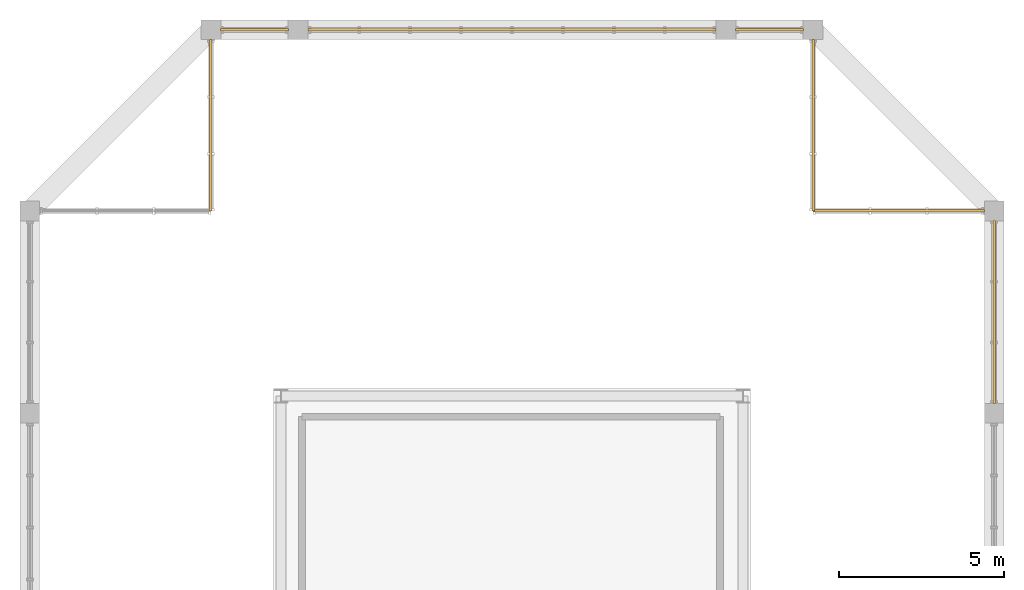
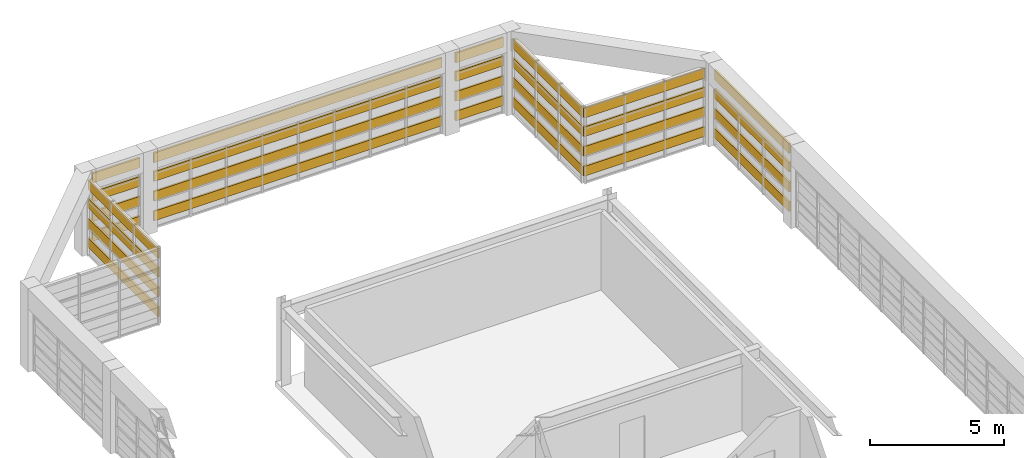
# One storey, part 27 of 27: 28 shading devices.
"""IFC4 building model written with IfcOpenShell, lengths in metres."""

from ifc_helpers import new_model, si_unit, direction, frame, origin, origin_2d, place, context, subcontext, project, spatial, rectangle, extrude, source, transform, mapped, material, material_profile, profile_set, type_object, element, save


model = new_model("IFC4")

# Units and contexts
model_context = context("Model", 3, precision=1e-05, world=origin(), true_north=direction((0.0, 1.0)))
body_context = subcontext(model_context, "Body", "Model", "MODEL_VIEW")
ifc_project = project(units=[si_unit("LENGTHUNIT", "METRE"), si_unit("AREAUNIT", "SQUARE_METRE"), si_unit("VOLUMEUNIT", "CUBIC_METRE"), si_unit("PLANEANGLEUNIT", "RADIAN"), si_unit("MASSUNIT", "GRAM", prefix="KILO")], contexts=[model_context])

# Site, building, storey
site_placement = place(None, origin())
site = spatial("IfcSite", under=ifc_project, at=site_placement, CompositionType="ELEMENT")
building_placement = place(site_placement, origin())
building = spatial("IfcBuilding", under=site, at=building_placement, Name="Saelheon Loggia Tower", CompositionType="ELEMENT")
storey_placement = place(building_placement, frame((0.0, 0.0, 263.60009765625)))
storey = spatial("IfcBuildingStorey", under=building, at=storey_placement, Name="CR4", CompositionType="ELEMENT", Elevation=263.60009765625)

# Shading devices
ifc_material = material(Name="Bronze-Anodised Aluminium 6063-T6", Category="aluminium")
ifc_material_profile = material_profile(ifc_material, rectangle(XDim=0.080078125, YDim=0.43994140625, at=origin_2d()), Name="Louvre_CrownBlade_250")
ifc_profile_set = profile_set([ifc_material_profile], Name="Bronze-Anodised Aluminium 6063-T6")
shading_device_type = type_object("IfcShadingDeviceType", Name="Louvre_CrownBlade_250", PredefinedType="AWNING", material=ifc_profile_set)
shared_shape_1 = source(origin(), body_context, "Body", "SweptSolid", [
    extrude(rectangle(XDim=0.080078125, YDim=0.43994140625, at=origin_2d()), origin(), (0.0, 0.0, 1.0), 2.06005859375),
])
for number, where, z_axis, x_axis, name in (
    (1, (46.85498046875, 47.64990234375, 0.5498046875), (-1.0, 0.0, 0.0), (0.0, -1.0, 0.0), "CR4 Crown Screen Horizontal Blade"),
    (2, (46.85498046875, 47.64990234375, 1.449951171875), (-1.0, 0.0, 0.0), (0.0, -1.0, 0.0), "CR4 Crown Screen Horizontal Blade"),
    (3, (46.85498046875, 47.64990234375, 2.349853515625), (-1.0, 0.0, 0.0), (0.0, -1.0, 0.0), "CR4 Crown Screen Horizontal Blade"),
    (4, (46.85498046875, 47.64990234375, 3.199951171875), (-1.0, 0.0, 0.0), (0.0, -1.0, 0.0), "CR4 Crown Screen Horizontal Blade"),
    (5, (31.205078125, 47.64990234375, 0.5498046875), (-1.0, 0.0, 0.0), (0.0, -1.0, 0.0), "CR4 Crown Screen Horizontal Blade"),
    (6, (31.205078125, 47.64990234375, 1.449951171875), (-1.0, 0.0, 0.0), (0.0, -1.0, 0.0), "CR4 Crown Screen Horizontal Blade"),
    (7, (31.205078125, 47.64990234375, 2.349853515625), (-1.0, 0.0, 0.0), (0.0, -1.0, 0.0), "CR4 Crown Screen Horizontal Blade"),
    (8, (31.205078125, 47.64990234375, 3.199951171875), (-1.0, 0.0, 0.0), (0.0, -1.0, 0.0), "CR4 Crown Screen Horizontal Blade"),
):
    element("IfcShadingDevice", number, at=place(storey_placement, frame(where, z_axis=z_axis, x_axis=x_axis)), inside=storey, type_object=shading_device_type, Name=name, PredefinedType="AWNING", context=body_context, shape_type="MappedRepresentation", body=[
        mapped(shared_shape_1, transform((0.0, 0.0, 0.0), scale=1.0)),
    ])
shared_shape_2 = source(origin(), body_context, "Body", "SweptSolid", [
    extrude(rectangle(XDim=0.080078125, YDim=0.43994140625, at=origin_2d()), origin(), (0.0, 0.0, 1.0), 12.41015625),
])
for number, where, z_axis, x_axis, name in (
    (9, (44.205078125, 47.64990234375, 0.5498046875), (-1.0, 0.0, 0.0), (0.0, -1.0, 0.0), "CR4 Crown Screen Horizontal Blade"),
    (10, (44.205078125, 47.64990234375, 1.449951171875), (-1.0, 0.0, 0.0), (0.0, -1.0, 0.0), "CR4 Crown Screen Horizontal Blade"),
    (11, (44.205078125, 47.64990234375, 2.349853515625), (-1.0, 0.0, 0.0), (0.0, -1.0, 0.0), "CR4 Crown Screen Horizontal Blade"),
    (12, (44.205078125, 47.64990234375, 3.199951171875), (-1.0, 0.0, 0.0), (0.0, -1.0, 0.0), "CR4 Crown Screen Horizontal Blade"),
):
    element("IfcShadingDevice", number, at=place(storey_placement, frame(where, z_axis=z_axis, x_axis=x_axis)), inside=storey, type_object=shading_device_type, Name=name, PredefinedType="AWNING", context=body_context, shape_type="MappedRepresentation", body=[
        mapped(shared_shape_2, transform((0.0, 0.0, 0.0), scale=1.0)),
    ])
shared_shape_3 = source(origin(), body_context, "Body", "SweptSolid", [
    extrude(rectangle(XDim=0.080078125, YDim=0.43994140625, at=origin_2d()), origin(), (0.0, 0.0, 1.0), 5.205078125),
])
for number, where, z_axis, x_axis, name in (
    (13, (52.35498046875, 42.14990234375, 0.5498046875), (-1.0, 0.0, 0.0), (0.0, -1.0, 0.0), "CR4 Crown Screen Horizontal Blade"),
    (14, (52.35498046875, 42.14990234375, 1.449951171875), (-1.0, 0.0, 0.0), (0.0, -1.0, 0.0), "CR4 Crown Screen Horizontal Blade"),
    (15, (52.35498046875, 42.14990234375, 2.349853515625), (-1.0, 0.0, 0.0), (0.0, -1.0, 0.0), "CR4 Crown Screen Horizontal Blade"),
    (16, (52.35498046875, 42.14990234375, 3.199951171875), (-1.0, 0.0, 0.0), (0.0, -1.0, 0.0), "CR4 Crown Screen Horizontal Blade"),
    (17, (47.14990234375, 42.14990234375, 0.5498046875), (0.0, 1.0, 0.0), (-1.0, 0.0, 0.0), "CR4 Crown Screen Horizontal Blade"),
    (18, (47.14990234375, 42.14990234375, 1.449951171875), (0.0, 1.0, 0.0), (-1.0, 0.0, 0.0), "CR4 Crown Screen Horizontal Blade"),
    (19, (47.14990234375, 42.14990234375, 2.349853515625), (0.0, 1.0, 0.0), (-1.0, 0.0, 0.0), "CR4 Crown Screen Horizontal Blade"),
    (20, (47.14990234375, 42.14990234375, 3.199951171875), (0.0, 1.0, 0.0), (-1.0, 0.0, 0.0), "CR4 Crown Screen Horizontal Blade"),
    (21, (28.85009765625, 47.35498046875, 0.5498046875), (0.0, -1.0, 0.0), (1.0, 0.0, 0.0), "CR4 Crown Screen Horizontal Blade"),
    (22, (28.85009765625, 47.35498046875, 1.449951171875), (0.0, -1.0, 0.0), (1.0, 0.0, 0.0), "CR4 Crown Screen Horizontal Blade"),
    (23, (28.85009765625, 47.35498046875, 2.349853515625), (0.0, -1.0, 0.0), (1.0, 0.0, 0.0), "CR4 Crown Screen Horizontal Blade"),
    (24, (28.85009765625, 47.35498046875, 3.199951171875), (0.0, -1.0, 0.0), (1.0, 0.0, 0.0), "CR4 Crown Screen Horizontal Blade"),
):
    element("IfcShadingDevice", number, at=place(storey_placement, frame(where, z_axis=z_axis, x_axis=x_axis)), inside=storey, type_object=shading_device_type, Name=name, PredefinedType="AWNING", context=body_context, shape_type="MappedRepresentation", body=[
        mapped(shared_shape_3, transform((0.0, 0.0, 0.0), scale=1.0)),
    ])
shared_shape_4 = source(origin(), body_context, "Body", "SweptSolid", [
    extrude(rectangle(XDim=0.080078125, YDim=0.43994140625, at=origin_2d()), origin(), (0.0, 0.0, 1.0), 5.56005859375),
])
for number, where, z_axis, x_axis, name in (
    (25, (52.64990234375, 36.294921875, 0.5498046875), (0.0, 1.0, 0.0), (-1.0, 0.0, 0.0), "CR4 Crown Screen Horizontal Blade"),
    (26, (52.64990234375, 36.294921875, 1.449951171875), (0.0, 1.0, 0.0), (-1.0, 0.0, 0.0), "CR4 Crown Screen Horizontal Blade"),
    (27, (52.64990234375, 36.294921875, 2.349853515625), (0.0, 1.0, 0.0), (-1.0, 0.0, 0.0), "CR4 Crown Screen Horizontal Blade"),
    (28, (52.64990234375, 36.294921875, 3.199951171875), (0.0, 1.0, 0.0), (-1.0, 0.0, 0.0), "CR4 Crown Screen Horizontal Blade"),
):
    element("IfcShadingDevice", number, at=place(storey_placement, frame(where, z_axis=z_axis, x_axis=x_axis)), inside=storey, type_object=shading_device_type, Name=name, PredefinedType="AWNING", context=body_context, shape_type="MappedRepresentation", body=[
        mapped(shared_shape_4, transform((0.0, 0.0, 0.0), scale=1.0)),
    ])

save(model, "model.ifc")
